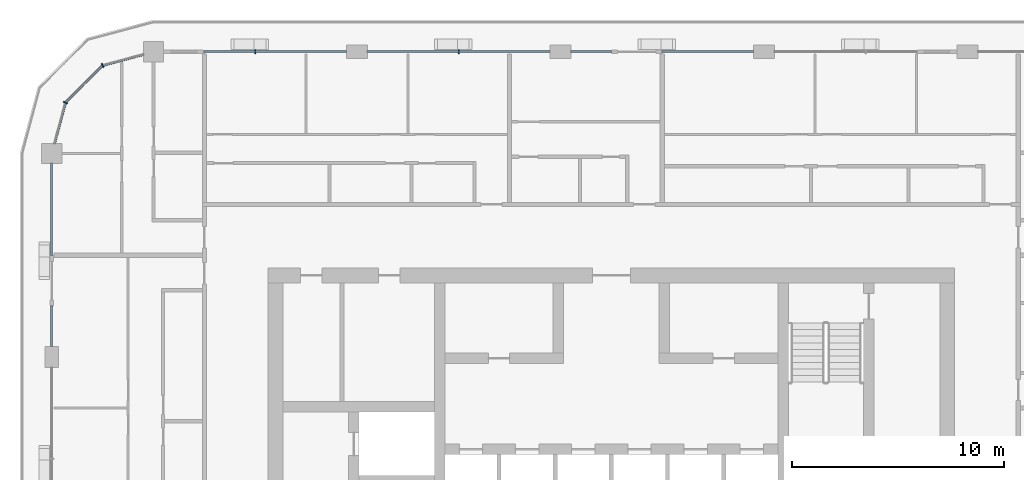
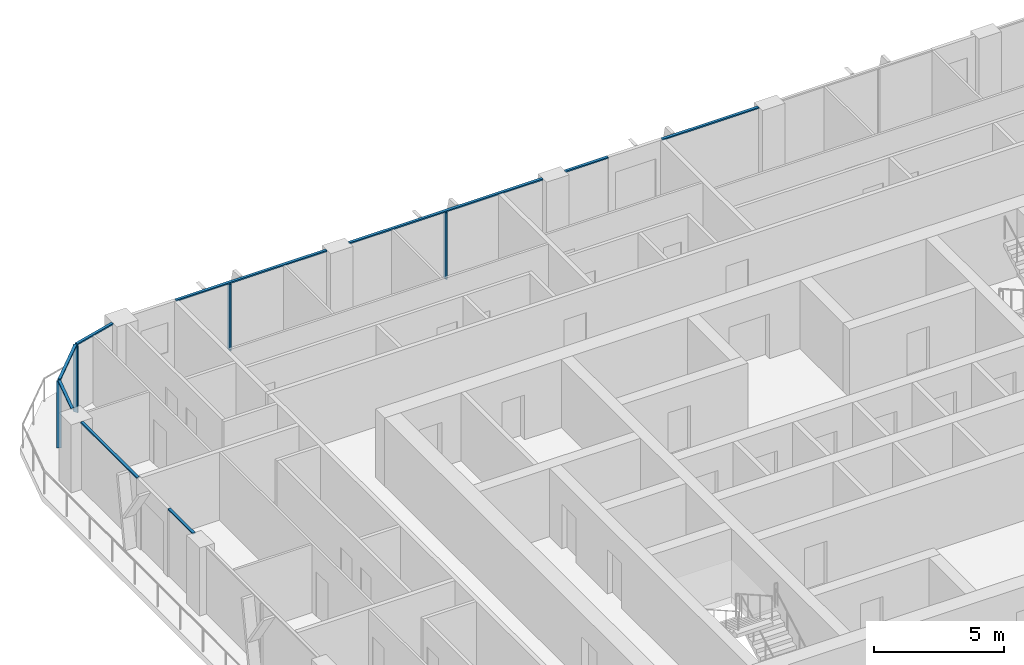
# One storey, part 5 of 21: 13 members, 5 elements without a shape of their own.
"""IFC4 building model written with IfcOpenShell, lengths in metres."""

from ifc_helpers import new_model, si_unit, direction, frame, origin, origin_2d, place, context, subcontext, project, spatial, rectangle, extrude, material, layer, layer_set, material_profile, profile_set, type_object, element, aggregate, save


model = new_model("IFC4")

# Units and contexts
model_context = context("Model", 3, precision=1e-05, world=origin(), true_north=direction((0.0, 1.0)))
body_context = subcontext(model_context, "Body", "Model", "MODEL_VIEW")
ifc_project = project(units=[si_unit("LENGTHUNIT", "METRE"), si_unit("AREAUNIT", "SQUARE_METRE"), si_unit("VOLUMEUNIT", "CUBIC_METRE"), si_unit("PLANEANGLEUNIT", "RADIAN"), si_unit("MASSUNIT", "GRAM", prefix="KILO")], contexts=[model_context])

# Site, building, storey
site_placement = place(None, origin())
site = spatial("IfcSite", under=ifc_project, at=site_placement, CompositionType="ELEMENT")
building_placement = place(site_placement, origin())
building = spatial("IfcBuilding", under=site, at=building_placement, Name="Madar Terraces", CompositionType="ELEMENT")
storey_placement = place(building_placement, frame((0.0, 0.0, 185.89990234375)))
storey = spatial("IfcBuildingStorey", under=building, at=storey_placement, Name="L48", CompositionType="ELEMENT", Elevation=185.89990234375)

# Curtain wall, member
ifc_material_1 = material(Name="Glass, ceramic frit dark grey, with black aluminium frame", Category="aluminium")
ifc_layer = layer(ifc_material_1, 0.199951171875)
ifc_layer_set = layer_set([ifc_layer], Name="Facade curtain wall, fritted glass")
curtain_wall_type = type_object("IfcCurtainWallType", Name="Facade curtain wall, fritted glass", PredefinedType="NOTDEFINED", material=ifc_layer_set)
curtain_wall_1_placement = place(storey_placement, origin())
curtain_wall_1 = element("IfcCurtainWall", 1, at=curtain_wall_1_placement, inside=storey, type_object=curtain_wall_type, Name="Outer skin curtain wall north bay 4", PredefinedType="NOTDEFINED")
ifc_material_2 = material(Name="Aluminium, black anodised", Category="aluminium")
ifc_material_profile_1 = material_profile(ifc_material_2, rectangle(XDim=0.199951171875, YDim=0.06005859375, at=origin_2d()), Name="Facade mullion 60x200")
ifc_profile_set_1 = profile_set([ifc_material_profile_1], Name="Aluminium, black anodised")
member_type_1 = type_object("IfcMemberType", Name="Facade mullion 60x200", PredefinedType="MULLION", material=ifc_profile_set_1)
member_1_placement = place(storey_placement, frame((24.0, 48.0, 0.0), z_axis=(0.0, 0.0, 1.0), x_axis=(0.0, -1.0, 0.0)))
member_1 = element("IfcMember", 2, at=member_1_placement, type_object=member_type_1, Name="Mullion 1", PredefinedType="MULLION", context=body_context, shape_type="SweptSolid", body=[
    extrude(rectangle(XDim=0.199951171875, YDim=0.06005859375, at=origin_2d()), origin(), (0.0, 0.0, 1.0), 3.14013671875),
])

curtain_wall_2_placement = place(storey_placement, origin())
curtain_wall_2 = element("IfcCurtainWall", 3, at=curtain_wall_2_placement, inside=storey, type_object=curtain_wall_type, Name="Outer skin curtain wall north bay 5", PredefinedType="NOTDEFINED")
member_2_placement = place(storey_placement, frame((14.39990234375, 48.0, 0.0), z_axis=(0.0, 0.0, 1.0), x_axis=(0.0, -1.0, 0.0)))
member_2 = element("IfcMember", 4, at=member_2_placement, type_object=member_type_1, Name="Mullion 1", PredefinedType="MULLION", context=body_context, shape_type="SweptSolid", body=[
    extrude(rectangle(XDim=0.199951171875, YDim=0.06005859375, at=origin_2d()), origin(), (0.0, 0.0, 1.0), 3.14013671875),
])

# Curtain wall, members
curtain_wall_3_placement = place(storey_placement, origin())
curtain_wall_3 = element("IfcCurtainWall", 5, at=curtain_wall_3_placement, inside=storey, type_object=curtain_wall_type, Name="Outer skin curtain wall north-west corner", PredefinedType="NOTDEFINED")
member_3_placement = place(storey_placement, frame((7.199951171875, 47.35693359375, 0.0), z_axis=(0.0, 0.0, 1.0), x_axis=(0.499999989586, -0.866025409797, 0.0)))
member_3 = element("IfcMember", 6, at=member_3_placement, type_object=member_type_1, Name="Mullion 1", PredefinedType="MULLION", context=body_context, shape_type="SweptSolid", body=[
    extrude(rectangle(XDim=0.199951171875, YDim=0.06005859375, at=origin_2d()), origin(), (0.0, 0.0, 1.0), 3.14013671875),
])
member_4_placement = place(storey_placement, frame((5.443115234375, 45.60009765625, 0.0), z_axis=(0.0, 0.0, 1.0), x_axis=(0.866025409797, -0.499999989586, 0.0)))
member_4 = element("IfcMember", 7, at=member_4_placement, type_object=member_type_1, Name="Mullion 2", PredefinedType="MULLION", context=body_context, shape_type="SweptSolid", body=[
    extrude(rectangle(XDim=0.199951171875, YDim=0.06005859375, at=origin_2d()), origin(), (0.0, 0.0, 1.0), 3.14013671875),
])

curtain_wall_4_placement = place(storey_placement, origin())
curtain_wall_4 = element("IfcCurtainWall", 8, at=curtain_wall_4_placement, inside=storey, type_object=curtain_wall_type, Name="Outer skin curtain wall north bay 3", PredefinedType="NOTDEFINED")
ifc_material_3 = material(Name="Aluminium, black anodised", Category="aluminium")
ifc_material_profile_2 = material_profile(ifc_material_3, rectangle(XDim=0.1201171875, YDim=0.06005859375, at=origin_2d()), Name="Facade transom 60x120")
ifc_profile_set_2 = profile_set([ifc_material_profile_2], Name="Aluminium, black anodised")
member_type_2 = type_object("IfcMemberType", Name="Facade transom 60x120", PredefinedType="USERDEFINED", material=ifc_profile_set_2)
member_5_placement = place(storey_placement, frame((37.89990234375, 48.0, 3.170166015625), z_axis=(-1.0, 0.0, 0.0), x_axis=(0.0, -1.0, 0.0)))
member_5 = element("IfcMember", 9, at=member_5_placement, type_object=member_type_2, Name="Transom 1", ObjectType="TRANSOM", PredefinedType="USERDEFINED", context=body_context, shape_type="SweptSolid", body=[
    extrude(rectangle(XDim=0.1201171875, YDim=0.06005859375, at=origin_2d()), origin(), (0.0, 0.0, 1.0), 4.2998046875),
])
member_6_placement = place(storey_placement, frame((31.199951171875, 48.0, 3.170166015625), z_axis=(-1.0, 0.0, 0.0), x_axis=(0.0, -1.0, 0.0)))
member_6 = element("IfcMember", 10, at=member_6_placement, type_object=member_type_2, Name="Transom 2", ObjectType="TRANSOM", PredefinedType="USERDEFINED", context=body_context, shape_type="SweptSolid", body=[
    extrude(rectangle(XDim=0.1201171875, YDim=0.06005859375, at=origin_2d()), origin(), (0.0, 0.0, 1.0), 1.89990234375),
])
aggregate(curtain_wall_4, [member_5, member_6])

# Member
member_7_placement = place(storey_placement, frame((28.300048828125, 48.0, 3.170166015625), z_axis=(-1.0, 0.0, 0.0), x_axis=(0.0, -1.0, 0.0)))
member_7 = element("IfcMember", 11, at=member_7_placement, type_object=member_type_2, Name="Transom 1", ObjectType="TRANSOM", PredefinedType="USERDEFINED", context=body_context, shape_type="SweptSolid", body=[
    extrude(rectangle(XDim=0.1201171875, YDim=0.06005859375, at=origin_2d()), origin(), (0.0, 0.0, 1.0), 8.60009765625),
])

aggregate(curtain_wall_1, [member_1, member_7])

member_8_placement = place(storey_placement, frame((18.699951171875, 48.0, 3.170166015625), z_axis=(-1.0, 0.0, 0.0), x_axis=(0.0, -1.0, 0.0)))
member_8 = element("IfcMember", 12, at=member_8_placement, type_object=member_type_2, Name="Transom 1", ObjectType="TRANSOM", PredefinedType="USERDEFINED", context=body_context, shape_type="SweptSolid", body=[
    extrude(rectangle(XDim=0.1201171875, YDim=0.06005859375, at=origin_2d()), origin(), (0.0, 0.0, 1.0), 6.699951171875),
])

aggregate(curtain_wall_2, [member_2, member_8])

# Curtain wall, members
curtain_wall_5_placement = place(storey_placement, origin())
curtain_wall_5 = element("IfcCurtainWall", 13, at=curtain_wall_5_placement, inside=storey, type_object=curtain_wall_type, Name="Outer skin curtain wall west bay 1", PredefinedType="NOTDEFINED")
member_9_placement = place(storey_placement, frame((4.800048828125, 42.72509765625, 3.170166015625), z_axis=(0.0, -1.0, 0.0), x_axis=(1.0, 0.0, 0.0)))
member_9 = element("IfcMember", 14, at=member_9_placement, type_object=member_type_2, Name="Transom 1", ObjectType="TRANSOM", PredefinedType="USERDEFINED", context=body_context, shape_type="SweptSolid", body=[
    extrude(rectangle(XDim=0.1201171875, YDim=0.06005859375, at=origin_2d()), origin(), (0.0, 0.0, 1.0), 4.3251953125),
])
member_10_placement = place(storey_placement, frame((4.800048828125, 36.0, 3.170166015625), z_axis=(0.0, -1.0, 0.0), x_axis=(1.0, 0.0, 0.0)))
member_10 = element("IfcMember", 15, at=member_10_placement, type_object=member_type_2, Name="Transom 2", ObjectType="TRANSOM", PredefinedType="USERDEFINED", context=body_context, shape_type="SweptSolid", body=[
    extrude(rectangle(XDim=0.1201171875, YDim=0.06005859375, at=origin_2d()), origin(), (0.0, 0.0, 1.0), 1.89990234375),
])
aggregate(curtain_wall_5, [member_9, member_10])

# Member
member_11_placement = place(storey_placement, frame((9.125, 47.872802734375, 3.170166015625), z_axis=(-0.96592251241, -0.258831412352, 0.0), x_axis=(0.258831412352, -0.96592251241, 0.0)))
member_11 = element("IfcMember", 16, at=member_11_placement, type_object=member_type_2, Name="Transom 1", ObjectType="TRANSOM", PredefinedType="USERDEFINED", context=body_context, shape_type="SweptSolid", body=[
    extrude(rectangle(XDim=0.1201171875, YDim=0.06005859375, at=origin_2d()), origin(), (0.0, 0.0, 1.0), 1.962890625),
])

member_12_placement = place(storey_placement, frame((7.1787109375, 47.335693359375, 3.170166015625), z_axis=(-0.707056433593, -0.707157125196, 0.0), x_axis=(0.707157125196, -0.707056433593, 0.0)))
member_12 = element("IfcMember", 17, at=member_12_placement, type_object=member_type_2, Name="Transom 2", ObjectType="TRANSOM", PredefinedType="USERDEFINED", context=body_context, shape_type="SweptSolid", body=[
    extrude(rectangle(XDim=0.1201171875, YDim=0.06005859375, at=origin_2d()), origin(), (0.0, 0.0, 1.0), 2.424560546875),
])

member_13_placement = place(storey_placement, frame((5.435302734375, 45.571044921875, 3.170166015625), z_axis=(-0.258831412352, -0.96592251241, 0.0), x_axis=(0.96592251241, -0.258831412352, 0.0)))
member_13 = element("IfcMember", 18, at=member_13_placement, type_object=member_type_2, Name="Transom 3", ObjectType="TRANSOM", PredefinedType="USERDEFINED", context=body_context, shape_type="SweptSolid", body=[
    extrude(rectangle(XDim=0.1201171875, YDim=0.06005859375, at=origin_2d()), origin(), (0.0, 0.0, 1.0), 1.962890625),
])

aggregate(curtain_wall_3, [member_3, member_11, member_4, member_12, member_13])

save(model, "model.ifc")
